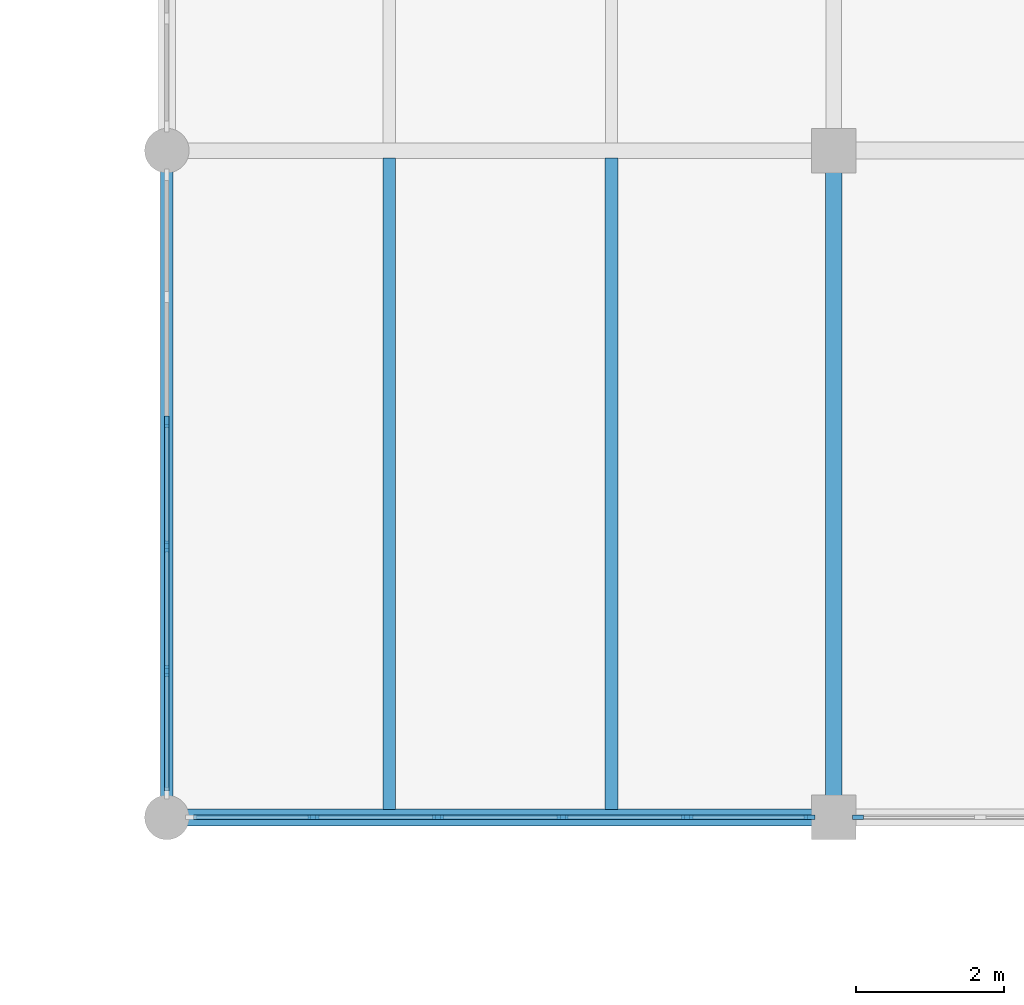
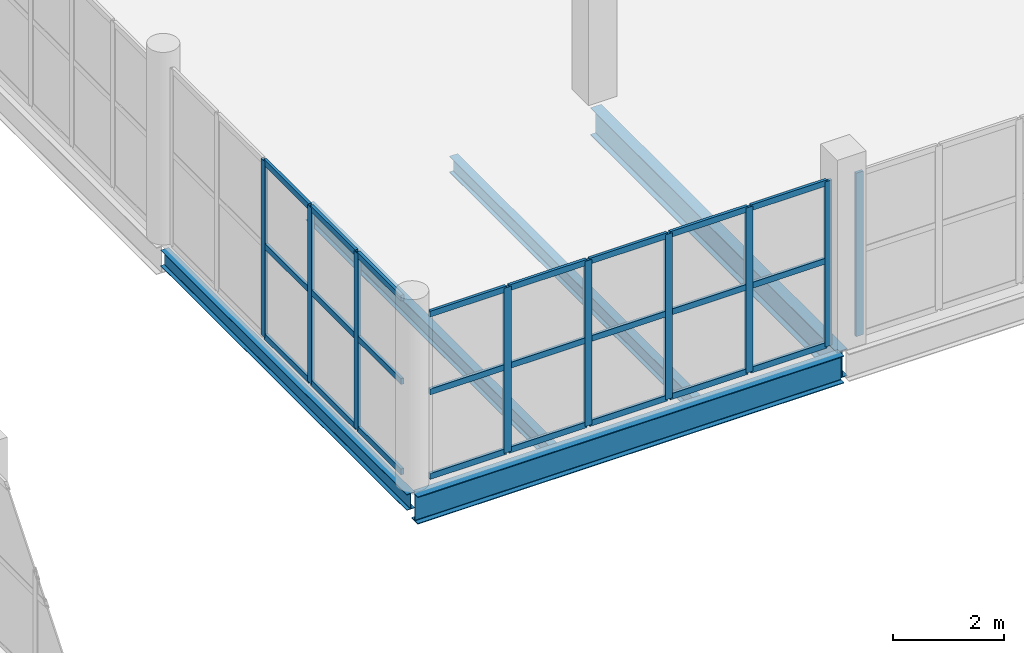
# One storey, part 33 of 73: 33 members, 5 beams, 3 elements without a shape of their own.
"""IFC4 building model written with IfcOpenShell, lengths in metres."""

from ifc_helpers import new_model, si_unit, direction, frame, origin, origin_2d, place, context, subcontext, project, spatial, rectangle, i_section, extrude, material, layer, layer_set, material_profile, profile_set, type_object, element, aggregate, save


model = new_model("IFC4")

# Units and contexts
model_context = context("Model", 3, precision=1e-05, world=origin(), true_north=direction((0.0, 1.0)))
body_context = subcontext(model_context, "Body", "Model", "MODEL_VIEW")
ifc_project = project(units=[si_unit("LENGTHUNIT", "METRE"), si_unit("AREAUNIT", "SQUARE_METRE"), si_unit("VOLUMEUNIT", "CUBIC_METRE"), si_unit("PLANEANGLEUNIT", "RADIAN"), si_unit("MASSUNIT", "GRAM", prefix="KILO")], contexts=[model_context])

# Site, building, storey
site_placement = place(None, origin())
site = spatial("IfcSite", under=ifc_project, at=site_placement, CompositionType="ELEMENT")
building_placement = place(site_placement, origin())
building = spatial("IfcBuilding", under=site, at=building_placement, Name="Marnock Terrace Opera House", CompositionType="ELEMENT")
storey_placement = place(building_placement, frame((0.0, 0.0, 14.699951171875)))
storey = spatial("IfcBuildingStorey", under=building, at=storey_placement, Name="L03", CompositionType="ELEMENT", Elevation=14.699951171875)

# Beams
ifc_material_1 = material(Name="Steel Grade 350 (AS/NZS 3679.1)", Category="steel")
ifc_material_profile_1 = material_profile(ifc_material_1, i_section(OverallWidth=0.1708984375, OverallDepth=0.355712890625, WebThickness=0.00732421875, FlangeThickness=0.011474609375, FilletRadius=0.011474609375, at=origin_2d()))
ifc_profile_set_1 = profile_set([ifc_material_profile_1], Name="Steel Grade 350 (AS/NZS 3679.1)")
beam_type_1 = type_object("IfcBeamType", Name="BM-GIRD-360", PredefinedType="BEAM", material=ifc_profile_set_1)
beam_1_placement = place(storey_placement, frame((118.0, 66.050048828125, -0.437744140625), z_axis=(0.0, 1.0, 0.0), x_axis=(-1.0, 0.0, 0.0)))
element("IfcBeam", 1, at=beam_1_placement, inside=storey, type_object=beam_type_1, Name="L03 girder (X=118.0, 66.0..75.0)", PredefinedType="BEAM", context=body_context, shape_type="SweptSolid", body=[
    extrude(i_section(OverallWidth=0.1708984375, OverallDepth=0.355712890625, WebThickness=0.00732421875, FlangeThickness=0.011474609375, FilletRadius=0.011474609375, at=origin_2d()), origin(), (0.0, 0.0, 1.0), 8.89990234375),
])
ifc_material_profile_2 = material_profile(ifc_material_1, i_section(OverallWidth=0.22802734375, OverallDepth=0.60693359375, WebThickness=0.01123046875, FlangeThickness=0.017333984375, FilletRadius=0.013916015625, at=origin_2d()))
ifc_profile_set_2 = profile_set([ifc_material_profile_2], Name="Steel Grade 350 (AS/NZS 3679.1)")
beam_type_2 = type_object("IfcBeamType", Name="BM-GIRD-610B", PredefinedType="BEAM", material=ifc_profile_set_2)
beam_2_placement = place(storey_placement, frame((118.050048828125, 66.0, -0.5634765625), z_axis=(1.0, 0.0, 0.0), x_axis=(0.0, 1.0, 0.0)))
element("IfcBeam", 2, at=beam_2_placement, inside=storey, type_object=beam_type_2, Name="L03 girder (118.0..127.0, Y=66.0)", PredefinedType="BEAM", context=body_context, shape_type="SweptSolid", body=[
    extrude(i_section(OverallWidth=0.22802734375, OverallDepth=0.60693359375, WebThickness=0.01123046875, FlangeThickness=0.017333984375, FilletRadius=0.013916015625, at=origin_2d()), origin(), (0.0, 0.0, 1.0), 8.89990234375),
])
ifc_material_profile_3 = material_profile(ifc_material_1, i_section(OverallWidth=0.22802734375, OverallDepth=0.60205078125, WebThickness=0.010498046875, FlangeThickness=0.014892578125, FilletRadius=0.013916015625, at=origin_2d()))
ifc_profile_set_3 = profile_set([ifc_material_profile_3], Name="Steel Grade 350 (AS/NZS 3679.1)")
beam_type_3 = type_object("IfcBeamType", Name="BM-GIRD-610C", PredefinedType="BEAM", material=ifc_profile_set_3)
beam_3_placement = place(storey_placement, frame((127.0, 66.050048828125, -0.56103515625), z_axis=(0.0, 1.0, 0.0), x_axis=(-1.0, 0.0, 0.0)))
element("IfcBeam", 3, at=beam_3_placement, inside=storey, type_object=beam_type_3, Name="L03 girder (X=127.0, 66.0..75.0)", PredefinedType="BEAM", context=body_context, shape_type="SweptSolid", body=[
    extrude(i_section(OverallWidth=0.22802734375, OverallDepth=0.60205078125, WebThickness=0.010498046875, FlangeThickness=0.014892578125, FilletRadius=0.013916015625, at=origin_2d()), origin(), (0.0, 0.0, 1.0), 8.89990234375),
])
ifc_material_profile_4 = material_profile(ifc_material_1, i_section(OverallWidth=0.172119140625, OverallDepth=0.358642578125, WebThickness=0.008056640625, FlangeThickness=0.012939453125, FilletRadius=0.011474609375, at=origin_2d()))
ifc_profile_set_4 = profile_set([ifc_material_profile_4], Name="Steel Grade 350 (AS/NZS 3679.1)")
beam_type_4 = type_object("IfcBeamType", Name="BM-JOIST-360", PredefinedType="JOIST", material=ifc_profile_set_4)
for number, where, z_axis, x_axis, name in (
    (4, (121.0, 66.10888671875, -0.439208984375), (0.0, 1.0, 0.0), (-1.0, 0.0, 0.0), "L03 secondary joist 13.8.1"),
    (5, (124.0, 66.10888671875, -0.439208984375), (0.0, 1.0, 0.0), (-1.0, 0.0, 0.0), "L03 secondary joist 13.8.2"),
):
    element("IfcBeam", number, at=place(storey_placement, frame(where, z_axis=z_axis, x_axis=x_axis)), inside=storey, type_object=beam_type_4, Name=name, PredefinedType="JOIST", context=body_context, shape_type="SweptSolid", body=[
        extrude(i_section(OverallWidth=0.172119140625, OverallDepth=0.358642578125, WebThickness=0.008056640625, FlangeThickness=0.012939453125, FilletRadius=0.011474609375, at=origin_2d()), origin(), (0.0, 0.0, 1.0), 8.79150390625),
    ])

# Curtain wall, members
ifc_material_2 = material(Name="Anodised architectural bronze aluminium framing", Category="aluminium")
ifc_layer = layer(ifc_material_2, 0.159912109375)
ifc_layer_set = layer_set([ifc_layer], Name="Anodised architectural bronze aluminium framing")
curtain_wall_type = type_object("IfcCurtainWallType", Name="CW-LOGGIA-86x42", PredefinedType="NOTDEFINED", material=ifc_layer_set)
curtain_wall_1_placement = place(storey_placement, origin())
curtain_wall_1 = element("IfcCurtainWall", 6, at=curtain_wall_1_placement, inside=storey, type_object=curtain_wall_type, Name="L03 glazed Beaux-Arts colonnade curtain wall CW-V5-L03-CN1", PredefinedType="NOTDEFINED")
ifc_material_profile_5 = material_profile(ifc_material_2, rectangle(XDim=0.06005859375, YDim=0.14990234375, at=origin_2d()))
ifc_profile_set_5 = profile_set([ifc_material_profile_5], Name="Anodised architectural bronze aluminium framing")
member_type_1 = type_object("IfcMemberType", Name="CWM-60x150", PredefinedType="MULLION", material=ifc_profile_set_5)
member_1_placement = place(storey_placement, frame((119.9775390625, 66.0, 0.0), z_axis=(0.0, 0.0, 1.0), x_axis=(0.0, 1.0, 0.0)))
member_1 = element("IfcMember", 7, at=member_1_placement, type_object=member_type_1, Name="CW-66 mullion 2", PredefinedType="MULLION", context=body_context, shape_type="SweptSolid", body=[
    extrude(rectangle(XDim=0.06005859375, YDim=0.14990234375, at=origin_2d()), origin(), (0.0, 0.0, 1.0), 3.64306640625),
])
member_2_placement = place(storey_placement, frame((121.6591796875, 66.0, 0.0), z_axis=(0.0, 0.0, 1.0), x_axis=(0.0, 1.0, 0.0)))
member_2 = element("IfcMember", 8, at=member_2_placement, type_object=member_type_1, Name="CW-66 mullion 3", PredefinedType="MULLION", context=body_context, shape_type="SweptSolid", body=[
    extrude(rectangle(XDim=0.06005859375, YDim=0.14990234375, at=origin_2d()), origin(), (0.0, 0.0, 1.0), 3.64306640625),
])
member_3_placement = place(storey_placement, frame((123.3408203125, 66.0, 0.0), z_axis=(0.0, 0.0, 1.0), x_axis=(0.0, 1.0, 0.0)))
member_3 = element("IfcMember", 9, at=member_3_placement, type_object=member_type_1, Name="CW-66 mullion 4", PredefinedType="MULLION", context=body_context, shape_type="SweptSolid", body=[
    extrude(rectangle(XDim=0.06005859375, YDim=0.14990234375, at=origin_2d()), origin(), (0.0, 0.0, 1.0), 3.64306640625),
])
member_4_placement = place(storey_placement, frame((125.0224609375, 66.0, 0.0), z_axis=(0.0, 0.0, 1.0), x_axis=(0.0, 1.0, 0.0)))
member_4 = element("IfcMember", 10, at=member_4_placement, type_object=member_type_1, Name="CW-66 mullion 5", PredefinedType="MULLION", context=body_context, shape_type="SweptSolid", body=[
    extrude(rectangle(XDim=0.06005859375, YDim=0.14990234375, at=origin_2d()), origin(), (0.0, 0.0, 1.0), 3.64306640625),
])
member_5_placement = place(storey_placement, frame((126.674072265625, 66.0, 0.0), z_axis=(0.0, 0.0, 1.0), x_axis=(0.0, 1.0, 0.0)))
member_5 = element("IfcMember", 11, at=member_5_placement, type_object=member_type_1, Name="CW-66 mullion 6", PredefinedType="MULLION", context=body_context, shape_type="SweptSolid", body=[
    extrude(rectangle(XDim=0.06005859375, YDim=0.14990234375, at=origin_2d()), origin(), (0.0, 0.0, 1.0), 3.64306640625),
])

# Curtain wall, member
curtain_wall_2_placement = place(storey_placement, origin())
curtain_wall_2 = element("IfcCurtainWall", 12, at=curtain_wall_2_placement, inside=storey, type_object=curtain_wall_type, Name="L03 glazed Beaux-Arts colonnade curtain wall CW-V5-L03-CN2", PredefinedType="NOTDEFINED")
member_6_placement = place(storey_placement, frame((127.325927734375, 66.0, 0.0), z_axis=(0.0, 0.0, 1.0), x_axis=(0.0, 1.0, 0.0)))
member_6 = element("IfcMember", 13, at=member_6_placement, type_object=member_type_1, Name="CW-66 mullion 1", PredefinedType="MULLION", context=body_context, shape_type="SweptSolid", body=[
    extrude(rectangle(XDim=0.06005859375, YDim=0.14990234375, at=origin_2d()), origin(), (0.0, 0.0, 1.0), 3.6083984375),
])
aggregate(curtain_wall_2, [member_6])

# Curtain wall, members
curtain_wall_3_placement = place(storey_placement, origin())
curtain_wall_3 = element("IfcCurtainWall", 14, at=curtain_wall_3_placement, inside=storey, type_object=curtain_wall_type, Name="L03 glazed Beaux-Arts colonnade curtain wall CW-V5-L03-W5", PredefinedType="NOTDEFINED")
member_7_placement = place(storey_placement, frame((118.0, 67.9775390625, 0.0), z_axis=(0.0, 0.0, 1.0), x_axis=(-1.0, 0.0, 0.0)))
member_7 = element("IfcMember", 15, at=member_7_placement, type_object=member_type_1, Name="CW-66 mullion 2", PredefinedType="MULLION", context=body_context, shape_type="SweptSolid", body=[
    extrude(rectangle(XDim=0.06005859375, YDim=0.14990234375, at=origin_2d()), origin(), (0.0, 0.0, 1.0), 3.89453125),
])
member_8_placement = place(storey_placement, frame((118.0, 69.6591796875, 0.0), z_axis=(0.0, 0.0, 1.0), x_axis=(-1.0, 0.0, 0.0)))
member_8 = element("IfcMember", 16, at=member_8_placement, type_object=member_type_1, Name="CW-66 mullion 3", PredefinedType="MULLION", context=body_context, shape_type="SweptSolid", body=[
    extrude(rectangle(XDim=0.06005859375, YDim=0.14990234375, at=origin_2d()), origin(), (0.0, 0.0, 1.0), 3.89453125),
])
member_9_placement = place(storey_placement, frame((118.0, 71.3408203125, 0.0), z_axis=(0.0, 0.0, 1.0), x_axis=(-1.0, 0.0, 0.0)))
member_9 = element("IfcMember", 17, at=member_9_placement, type_object=member_type_1, Name="CW-66 mullion 4", PredefinedType="MULLION", context=body_context, shape_type="SweptSolid", body=[
    extrude(rectangle(XDim=0.06005859375, YDim=0.14990234375, at=origin_2d()), origin(), (0.0, 0.0, 1.0), 3.89453125),
])

# Member
ifc_material_profile_6 = material_profile(ifc_material_2, rectangle(XDim=0.06005859375, YDim=0.1298828125, at=origin_2d()))
ifc_profile_set_6 = profile_set([ifc_material_profile_6], Name="Anodised architectural bronze aluminium framing")
member_type_2 = type_object("IfcMemberType", Name="CWT-60x130", PredefinedType="USERDEFINED", material=ifc_profile_set_6)
member_10_placement = place(storey_placement, frame((118.35595703125, 66.0, 0.030029296875), z_axis=(1.0, 0.0, 0.0), x_axis=(0.0, 1.0, 0.0)))
member_10 = element("IfcMember", 18, at=member_10_placement, type_object=member_type_2, Name="CW-66 transom 1.1", ObjectType="TRANSOM", PredefinedType="USERDEFINED", context=body_context, shape_type="SweptSolid", body=[
    extrude(rectangle(XDim=0.06005859375, YDim=0.1298828125, at=origin_2d()), origin(), (0.0, 0.0, 1.0), 1.591552734375),
])

member_11_placement = place(storey_placement, frame((118.35595703125, 66.0, 1.89453125), z_axis=(1.0, 0.0, 0.0), x_axis=(0.0, 1.0, 0.0)))
member_11 = element("IfcMember", 19, at=member_11_placement, type_object=member_type_2, Name="CW-66 transom 1.2", ObjectType="TRANSOM", PredefinedType="USERDEFINED", context=body_context, shape_type="SweptSolid", body=[
    extrude(rectangle(XDim=0.06005859375, YDim=0.1298828125, at=origin_2d()), origin(), (0.0, 0.0, 1.0), 1.591552734375),
])

member_12_placement = place(storey_placement, frame((118.35595703125, 66.0, 3.613037109375), z_axis=(1.0, 0.0, 0.0), x_axis=(0.0, 1.0, 0.0)))
member_12 = element("IfcMember", 20, at=member_12_placement, type_object=member_type_2, Name="CW-66 transom 1.3", ObjectType="TRANSOM", PredefinedType="USERDEFINED", context=body_context, shape_type="SweptSolid", body=[
    extrude(rectangle(XDim=0.06005859375, YDim=0.1298828125, at=origin_2d()), origin(), (0.0, 0.0, 1.0), 1.591552734375),
])

member_13_placement = place(storey_placement, frame((120.007568359375, 66.0, 0.030029296875), z_axis=(1.0, 0.0, 0.0), x_axis=(0.0, 1.0, 0.0)))
member_13 = element("IfcMember", 21, at=member_13_placement, type_object=member_type_2, Name="CW-66 transom 2.1", ObjectType="TRANSOM", PredefinedType="USERDEFINED", context=body_context, shape_type="SweptSolid", body=[
    extrude(rectangle(XDim=0.06005859375, YDim=0.1298828125, at=origin_2d()), origin(), (0.0, 0.0, 1.0), 1.62158203125),
])

member_14_placement = place(storey_placement, frame((120.007568359375, 66.0, 1.89453125), z_axis=(1.0, 0.0, 0.0), x_axis=(0.0, 1.0, 0.0)))
member_14 = element("IfcMember", 22, at=member_14_placement, type_object=member_type_2, Name="CW-66 transom 2.2", ObjectType="TRANSOM", PredefinedType="USERDEFINED", context=body_context, shape_type="SweptSolid", body=[
    extrude(rectangle(XDim=0.06005859375, YDim=0.1298828125, at=origin_2d()), origin(), (0.0, 0.0, 1.0), 1.62158203125),
])

member_15_placement = place(storey_placement, frame((120.007568359375, 66.0, 3.613037109375), z_axis=(1.0, 0.0, 0.0), x_axis=(0.0, 1.0, 0.0)))
member_15 = element("IfcMember", 23, at=member_15_placement, type_object=member_type_2, Name="CW-66 transom 2.3", ObjectType="TRANSOM", PredefinedType="USERDEFINED", context=body_context, shape_type="SweptSolid", body=[
    extrude(rectangle(XDim=0.06005859375, YDim=0.1298828125, at=origin_2d()), origin(), (0.0, 0.0, 1.0), 1.62158203125),
])

member_16_placement = place(storey_placement, frame((121.689208984375, 66.0, 0.030029296875), z_axis=(1.0, 0.0, 0.0), x_axis=(0.0, 1.0, 0.0)))
member_16 = element("IfcMember", 24, at=member_16_placement, type_object=member_type_2, Name="CW-66 transom 3.1", ObjectType="TRANSOM", PredefinedType="USERDEFINED", context=body_context, shape_type="SweptSolid", body=[
    extrude(rectangle(XDim=0.06005859375, YDim=0.1298828125, at=origin_2d()), origin(), (0.0, 0.0, 1.0), 1.62158203125),
])

member_17_placement = place(storey_placement, frame((121.689208984375, 66.0, 1.89453125), z_axis=(1.0, 0.0, 0.0), x_axis=(0.0, 1.0, 0.0)))
member_17 = element("IfcMember", 25, at=member_17_placement, type_object=member_type_2, Name="CW-66 transom 3.2", ObjectType="TRANSOM", PredefinedType="USERDEFINED", context=body_context, shape_type="SweptSolid", body=[
    extrude(rectangle(XDim=0.06005859375, YDim=0.1298828125, at=origin_2d()), origin(), (0.0, 0.0, 1.0), 1.62158203125),
])

member_18_placement = place(storey_placement, frame((121.689208984375, 66.0, 3.613037109375), z_axis=(1.0, 0.0, 0.0), x_axis=(0.0, 1.0, 0.0)))
member_18 = element("IfcMember", 26, at=member_18_placement, type_object=member_type_2, Name="CW-66 transom 3.3", ObjectType="TRANSOM", PredefinedType="USERDEFINED", context=body_context, shape_type="SweptSolid", body=[
    extrude(rectangle(XDim=0.06005859375, YDim=0.1298828125, at=origin_2d()), origin(), (0.0, 0.0, 1.0), 1.62158203125),
])

member_19_placement = place(storey_placement, frame((123.370849609375, 66.0, 0.030029296875), z_axis=(1.0, 0.0, 0.0), x_axis=(0.0, 1.0, 0.0)))
member_19 = element("IfcMember", 27, at=member_19_placement, type_object=member_type_2, Name="CW-66 transom 4.1", ObjectType="TRANSOM", PredefinedType="USERDEFINED", context=body_context, shape_type="SweptSolid", body=[
    extrude(rectangle(XDim=0.06005859375, YDim=0.1298828125, at=origin_2d()), origin(), (0.0, 0.0, 1.0), 1.62158203125),
])

member_20_placement = place(storey_placement, frame((123.370849609375, 66.0, 1.89453125), z_axis=(1.0, 0.0, 0.0), x_axis=(0.0, 1.0, 0.0)))
member_20 = element("IfcMember", 28, at=member_20_placement, type_object=member_type_2, Name="CW-66 transom 4.2", ObjectType="TRANSOM", PredefinedType="USERDEFINED", context=body_context, shape_type="SweptSolid", body=[
    extrude(rectangle(XDim=0.06005859375, YDim=0.1298828125, at=origin_2d()), origin(), (0.0, 0.0, 1.0), 1.62158203125),
])

member_21_placement = place(storey_placement, frame((123.370849609375, 66.0, 3.613037109375), z_axis=(1.0, 0.0, 0.0), x_axis=(0.0, 1.0, 0.0)))
member_21 = element("IfcMember", 29, at=member_21_placement, type_object=member_type_2, Name="CW-66 transom 4.3", ObjectType="TRANSOM", PredefinedType="USERDEFINED", context=body_context, shape_type="SweptSolid", body=[
    extrude(rectangle(XDim=0.06005859375, YDim=0.1298828125, at=origin_2d()), origin(), (0.0, 0.0, 1.0), 1.62158203125),
])

member_22_placement = place(storey_placement, frame((125.052490234375, 66.0, 0.030029296875), z_axis=(1.0, 0.0, 0.0), x_axis=(0.0, 1.0, 0.0)))
member_22 = element("IfcMember", 30, at=member_22_placement, type_object=member_type_2, Name="CW-66 transom 5.1", ObjectType="TRANSOM", PredefinedType="USERDEFINED", context=body_context, shape_type="SweptSolid", body=[
    extrude(rectangle(XDim=0.06005859375, YDim=0.1298828125, at=origin_2d()), origin(), (0.0, 0.0, 1.0), 1.591552734375),
])

member_23_placement = place(storey_placement, frame((125.052490234375, 66.0, 1.89453125), z_axis=(1.0, 0.0, 0.0), x_axis=(0.0, 1.0, 0.0)))
member_23 = element("IfcMember", 31, at=member_23_placement, type_object=member_type_2, Name="CW-66 transom 5.2", ObjectType="TRANSOM", PredefinedType="USERDEFINED", context=body_context, shape_type="SweptSolid", body=[
    extrude(rectangle(XDim=0.06005859375, YDim=0.1298828125, at=origin_2d()), origin(), (0.0, 0.0, 1.0), 1.591552734375),
])

member_24_placement = place(storey_placement, frame((125.052490234375, 66.0, 3.613037109375), z_axis=(1.0, 0.0, 0.0), x_axis=(0.0, 1.0, 0.0)))
member_24 = element("IfcMember", 32, at=member_24_placement, type_object=member_type_2, Name="CW-66 transom 5.3", ObjectType="TRANSOM", PredefinedType="USERDEFINED", context=body_context, shape_type="SweptSolid", body=[
    extrude(rectangle(XDim=0.06005859375, YDim=0.1298828125, at=origin_2d()), origin(), (0.0, 0.0, 1.0), 1.591552734375),
])

aggregate(curtain_wall_1, [member_1, member_2, member_3, member_4, member_5, member_10, member_11, member_12, member_13, member_14, member_15, member_16, member_17, member_18, member_19, member_20, member_21, member_22, member_23, member_24])

member_25_placement = place(storey_placement, frame((118.0, 66.35595703125, 0.030029296875), z_axis=(0.0, 1.0, 0.0), x_axis=(-1.0, 0.0, 0.0)))
member_25 = element("IfcMember", 33, at=member_25_placement, type_object=member_type_2, Name="CW-66 transom 1.1", ObjectType="TRANSOM", PredefinedType="USERDEFINED", context=body_context, shape_type="SweptSolid", body=[
    extrude(rectangle(XDim=0.06005859375, YDim=0.1298828125, at=origin_2d()), origin(), (0.0, 0.0, 1.0), 1.591552734375),
])

member_26_placement = place(storey_placement, frame((118.0, 66.35595703125, 2.025146484375), z_axis=(0.0, 1.0, 0.0), x_axis=(-1.0, 0.0, 0.0)))
member_26 = element("IfcMember", 34, at=member_26_placement, type_object=member_type_2, Name="CW-66 transom 1.2", ObjectType="TRANSOM", PredefinedType="USERDEFINED", context=body_context, shape_type="SweptSolid", body=[
    extrude(rectangle(XDim=0.06005859375, YDim=0.1298828125, at=origin_2d()), origin(), (0.0, 0.0, 1.0), 1.591552734375),
])

member_27_placement = place(storey_placement, frame((118.0, 66.35595703125, 3.864501953125), z_axis=(0.0, 1.0, 0.0), x_axis=(-1.0, 0.0, 0.0)))
member_27 = element("IfcMember", 35, at=member_27_placement, type_object=member_type_2, Name="CW-66 transom 1.3", ObjectType="TRANSOM", PredefinedType="USERDEFINED", context=body_context, shape_type="SweptSolid", body=[
    extrude(rectangle(XDim=0.06005859375, YDim=0.1298828125, at=origin_2d()), origin(), (0.0, 0.0, 1.0), 1.591552734375),
])

member_28_placement = place(storey_placement, frame((118.0, 68.007568359375, 0.030029296875), z_axis=(0.0, 1.0, 0.0), x_axis=(-1.0, 0.0, 0.0)))
member_28 = element("IfcMember", 36, at=member_28_placement, type_object=member_type_2, Name="CW-66 transom 2.1", ObjectType="TRANSOM", PredefinedType="USERDEFINED", context=body_context, shape_type="SweptSolid", body=[
    extrude(rectangle(XDim=0.06005859375, YDim=0.1298828125, at=origin_2d()), origin(), (0.0, 0.0, 1.0), 1.62158203125),
])

member_29_placement = place(storey_placement, frame((118.0, 68.007568359375, 2.025146484375), z_axis=(0.0, 1.0, 0.0), x_axis=(-1.0, 0.0, 0.0)))
member_29 = element("IfcMember", 37, at=member_29_placement, type_object=member_type_2, Name="CW-66 transom 2.2", ObjectType="TRANSOM", PredefinedType="USERDEFINED", context=body_context, shape_type="SweptSolid", body=[
    extrude(rectangle(XDim=0.06005859375, YDim=0.1298828125, at=origin_2d()), origin(), (0.0, 0.0, 1.0), 1.62158203125),
])

member_30_placement = place(storey_placement, frame((118.0, 68.007568359375, 3.864501953125), z_axis=(0.0, 1.0, 0.0), x_axis=(-1.0, 0.0, 0.0)))
member_30 = element("IfcMember", 38, at=member_30_placement, type_object=member_type_2, Name="CW-66 transom 2.3", ObjectType="TRANSOM", PredefinedType="USERDEFINED", context=body_context, shape_type="SweptSolid", body=[
    extrude(rectangle(XDim=0.06005859375, YDim=0.1298828125, at=origin_2d()), origin(), (0.0, 0.0, 1.0), 1.62158203125),
])

member_31_placement = place(storey_placement, frame((118.0, 69.689208984375, 0.030029296875), z_axis=(0.0, 1.0, 0.0), x_axis=(-1.0, 0.0, 0.0)))
member_31 = element("IfcMember", 39, at=member_31_placement, type_object=member_type_2, Name="CW-66 transom 3.1", ObjectType="TRANSOM", PredefinedType="USERDEFINED", context=body_context, shape_type="SweptSolid", body=[
    extrude(rectangle(XDim=0.06005859375, YDim=0.1298828125, at=origin_2d()), origin(), (0.0, 0.0, 1.0), 1.62158203125),
])

member_32_placement = place(storey_placement, frame((118.0, 69.689208984375, 2.025146484375), z_axis=(0.0, 1.0, 0.0), x_axis=(-1.0, 0.0, 0.0)))
member_32 = element("IfcMember", 40, at=member_32_placement, type_object=member_type_2, Name="CW-66 transom 3.2", ObjectType="TRANSOM", PredefinedType="USERDEFINED", context=body_context, shape_type="SweptSolid", body=[
    extrude(rectangle(XDim=0.06005859375, YDim=0.1298828125, at=origin_2d()), origin(), (0.0, 0.0, 1.0), 1.62158203125),
])

member_33_placement = place(storey_placement, frame((118.0, 69.689208984375, 3.864501953125), z_axis=(0.0, 1.0, 0.0), x_axis=(-1.0, 0.0, 0.0)))
member_33 = element("IfcMember", 41, at=member_33_placement, type_object=member_type_2, Name="CW-66 transom 3.3", ObjectType="TRANSOM", PredefinedType="USERDEFINED", context=body_context, shape_type="SweptSolid", body=[
    extrude(rectangle(XDim=0.06005859375, YDim=0.1298828125, at=origin_2d()), origin(), (0.0, 0.0, 1.0), 1.62158203125),
])

aggregate(curtain_wall_3, [member_7, member_8, member_9, member_25, member_26, member_27, member_28, member_29, member_30, member_31, member_32, member_33])

save(model, "model.ifc")
